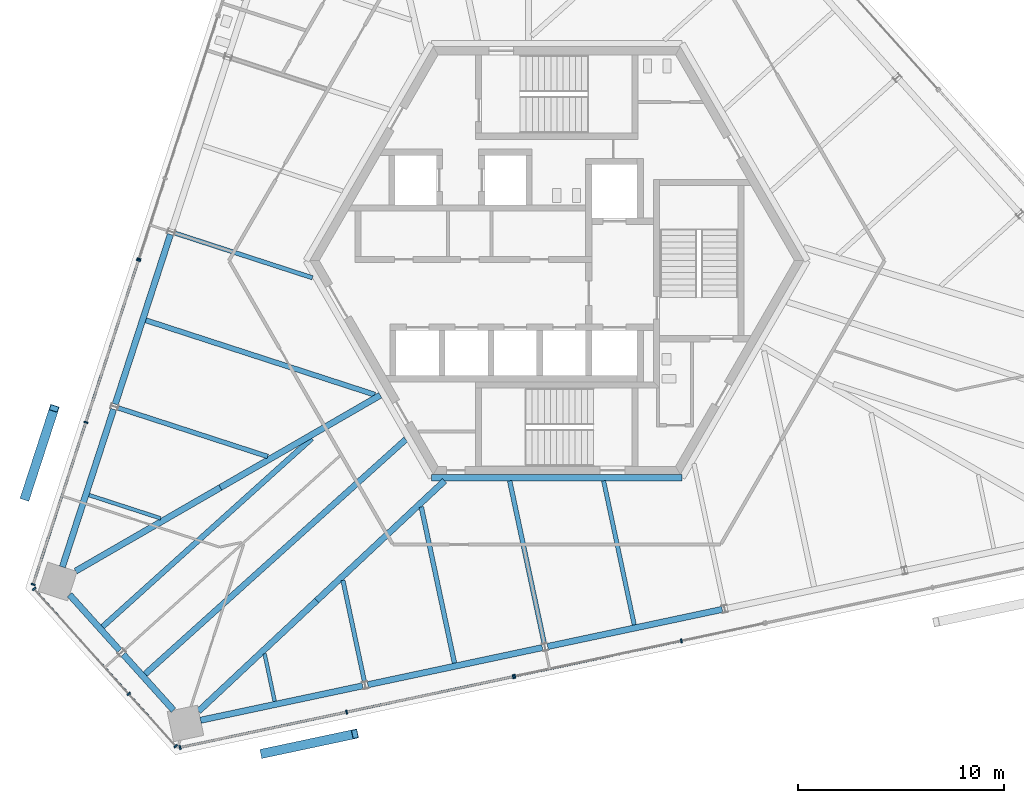
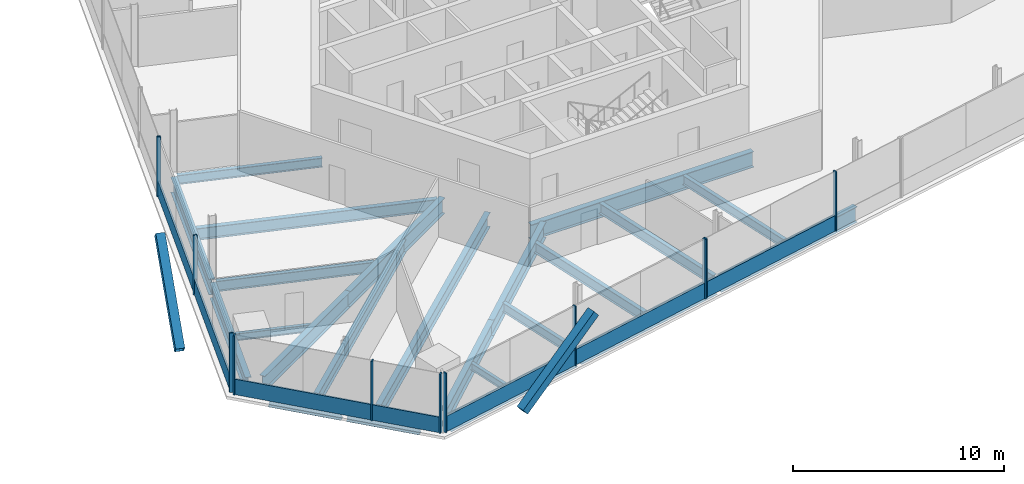
# One storey, part 4 of 14: 23 beams, 21 members, 5 elements without a shape of their own.
"""IFC4 building model written with IfcOpenShell, lengths in metres."""

from ifc_helpers import new_model, si_unit, direction, frame, origin, origin_2d, place, context, subcontext, project, spatial, rectangle, hollow_rectangle, i_section, extrude, source, transform, mapped, material, material_profile, profile_set, type_object, element, aggregate, save


model = new_model("IFC4")

# Units and contexts
model_context = context("Model", 3, precision=1e-05, world=origin(), true_north=direction((0.0, 1.0)))
body_context = subcontext(model_context, "Body", "Model", "MODEL_VIEW")
ifc_project = project(units=[si_unit("LENGTHUNIT", "METRE"), si_unit("AREAUNIT", "SQUARE_METRE"), si_unit("VOLUMEUNIT", "CUBIC_METRE"), si_unit("PLANEANGLEUNIT", "RADIAN"), si_unit("MASSUNIT", "GRAM", prefix="KILO")], contexts=[model_context])

# Site, building, storey
site_placement = place(None, origin())
site = spatial("IfcSite", under=ifc_project, at=site_placement, CompositionType="ELEMENT")
building_placement = place(site_placement, origin())
building = spatial("IfcBuilding", under=site, at=building_placement, Name="Triune Harvest Tower", CompositionType="ELEMENT")
storey_placement = place(building_placement, frame((0.0, 0.0, 263.10009765625)))
storey = spatial("IfcBuildingStorey", under=building, at=storey_placement, Name="L69", CompositionType="ELEMENT", Elevation=263.10009765625)

# Beams
ifc_material_1 = material(Name="Steel ASTM A992 Gr 50", Category="steel")
ifc_material_profile_1 = material_profile(ifc_material_1, i_section(OverallWidth=0.3046875, OverallDepth=0.914306640625, WebThickness=0.0166015625, FlangeThickness=0.02587890625, at=origin_2d()), Name="W36x160")
ifc_profile_set_1 = profile_set([ifc_material_profile_1], Name="Steel ASTM A992 Gr 50")
beam_type_1 = type_object("IfcBeamType", Name="CG-1 Core ring girder W36x160", PredefinedType="BEAM", material=ifc_profile_set_1)
shared_shape_1 = source(origin(), body_context, "Body", "SweptSolid", [
    extrude(i_section(OverallWidth=0.3046875, OverallDepth=0.914306640625, WebThickness=0.0166015625, FlangeThickness=0.02587890625, at=origin_2d()), origin(), (0.0, 0.0, 1.0), 12.17578125),
])
beam_1_placement = place(storey_placement, frame((-6.087890625, -10.544677734375, -0.6171875), z_axis=(1.0, 0.0, 0.0), x_axis=(0.0, 1.0, 0.0)))
element("IfcBeam", 1, at=beam_1_placement, inside=storey, type_object=beam_type_1, Name="beam/L69/CG5", PredefinedType="BEAM", context=body_context, shape_type="MappedRepresentation", body=[
    mapped(shared_shape_1, transform((0.0, 0.0, 0.0), scale=1.0)),
])
ifc_material_2 = material(Name="Steel ASTM A992 Gr 50", Category="steel")
ifc_material_profile_2 = material_profile(ifc_material_2, i_section(OverallWidth=0.3046875, OverallDepth=0.914306640625, WebThickness=0.0166015625, FlangeThickness=0.02587890625, at=origin_2d()), Name="W36x160")
ifc_profile_set_2 = profile_set([ifc_material_profile_2], Name="Steel ASTM A992 Gr 50")
beam_type_2 = type_object("IfcBeamType", Name="HG-3 Hip girder W36x160", PredefinedType="BEAM", material=ifc_profile_set_2)
shared_shape_2 = source(origin(), body_context, "Body", "SweptSolid", [
    extrude(i_section(OverallWidth=0.3046875, OverallDepth=0.914306640625, WebThickness=0.0166015625, FlangeThickness=0.02587890625, at=origin_2d()), origin(), (0.0, 0.0, 1.0), 8.97265625),
])
beam_2_placement = place(storey_placement, frame((-16.34619140625, -11.02734375, -0.6171875), z_axis=(0.866024277037, 0.500001951578, 0.0), x_axis=(-0.500001951578, 0.866024277037, 0.0)))
element("IfcBeam", 2, at=beam_2_placement, inside=storey, type_object=beam_type_2, Name="beam/L69/HG5", PredefinedType="BEAM", context=body_context, shape_type="MappedRepresentation", body=[
    mapped(shared_shape_2, transform((0.0, 0.0, 0.0), scale=1.0)),
])
ifc_material_3 = material(Name="Steel ASTM A992 Gr 50", Category="steel")
ifc_material_profile_3 = material_profile(ifc_material_3, i_section(OverallWidth=0.3046875, OverallDepth=0.914306640625, WebThickness=0.0166015625, FlangeThickness=0.02587890625, at=origin_2d()), Name="W36x160")
ifc_profile_set_3 = profile_set([ifc_material_profile_3], Name="Steel ASTM A992 Gr 50")
beam_type_3 = type_object("IfcBeamType", Name="SB-1 Spandrel beam W36x160", PredefinedType="SPANDREL", material=ifc_profile_set_3)
shared_shape_3 = source(origin(), body_context, "Body", "SweptSolid", [
    extrude(i_section(OverallWidth=0.3046875, OverallDepth=0.914306640625, WebThickness=0.0166015625, FlangeThickness=0.02587890625, at=origin_2d()), origin(), (0.0, 0.0, 1.0), 8.0498046875),
])
beam_3_placement = place(storey_placement, frame((-21.529296875, -7.220703125, -0.6171875), z_axis=(-0.30902160762, -0.951055017348, 0.0), x_axis=(0.951055017348, -0.30902160762, 0.0)))
element("IfcBeam", 3, at=beam_3_placement, inside=storey, type_object=beam_type_3, Name="beam/L69/SB12", PredefinedType="SPANDREL", context=body_context, shape_type="MappedRepresentation", body=[
    mapped(shared_shape_3, transform((0.0, 0.0, 0.0), scale=1.0)),
])
shared_shape_4 = source(origin(), body_context, "Body", "SweptSolid", [
    extrude(i_section(OverallWidth=0.3046875, OverallDepth=0.914306640625, WebThickness=0.0166015625, FlangeThickness=0.02587890625, at=origin_2d()), origin(), (0.0, 0.0, 1.0), 8.67138671875),
])
for number, where, z_axis, x_axis, name in (
    (4, (-18.7705078125, 1.270263671875, -0.6171875), (-0.309022409974, -0.951054756643, 0.0), (0.951054756643, -0.309022409974, 0.0), "beam/L69/SB11"),
    (5, (-9.1806640625, -20.603271484375, -0.6171875), (0.978145539793, 0.207921386546, 0.0), (-0.207921386546, 0.978145539793, 0.0), "beam/L69/SB16"),
    (6, (-0.44775390625, -18.7470703125, -0.6171875), (0.978145539793, 0.207921386546, 0.0), (-0.207921386546, 0.978145539793, 0.0), "beam/L69/SB17"),
):
    element("IfcBeam", number, at=place(storey_placement, frame(where, z_axis=z_axis, x_axis=x_axis)), inside=storey, type_object=beam_type_3, Name=name, PredefinedType="SPANDREL", context=body_context, shape_type="MappedRepresentation", body=[
        mapped(shared_shape_4, transform((0.0, 0.0, 0.0), scale=1.0)),
    ])
shared_shape_5 = source(origin(), body_context, "Body", "SweptSolid", [
    extrude(i_section(OverallWidth=0.3046875, OverallDepth=0.914306640625, WebThickness=0.0166015625, FlangeThickness=0.02587890625, at=origin_2d()), origin(), (0.0, 0.0, 1.0), 3.645751953125),
])
for number, where, z_axis, x_axis, name in (
    (7, (-23.669189453125, -16.2333984375, -0.6171875), (0.669138606654, -0.743137621901, 0.0), (0.743137621901, 0.669138606654, 0.0), "beam/L69/SB13"),
    (8, (-21.05810546875, -19.13330078125, -0.6171875), (0.669138606654, -0.743137621901, 0.0), (0.743137621901, 0.669138606654, 0.0), "beam/L69/SB14"),
):
    element("IfcBeam", number, at=place(storey_placement, frame(where, z_axis=z_axis, x_axis=x_axis)), inside=storey, type_object=beam_type_3, Name=name, PredefinedType="SPANDREL", context=body_context, shape_type="MappedRepresentation", body=[
        mapped(shared_shape_5, transform((0.0, 0.0, 0.0), scale=1.0)),
    ])
shared_shape_6 = source(origin(), body_context, "Body", "SweptSolid", [
    extrude(i_section(OverallWidth=0.3046875, OverallDepth=0.914306640625, WebThickness=0.0166015625, FlangeThickness=0.02587890625, at=origin_2d()), origin(), (0.0, 0.0, 1.0), 8.049560546875),
])
beam_4_placement = place(storey_placement, frame((-17.305419921875, -22.330322265625, -0.6171875), z_axis=(0.978148597907, 0.207906999431, 0.0), x_axis=(-0.207906999431, 0.978148597907, 0.0)))
element("IfcBeam", 9, at=beam_4_placement, inside=storey, type_object=beam_type_3, Name="beam/L69/SB15", PredefinedType="SPANDREL", context=body_context, shape_type="MappedRepresentation", body=[
    mapped(shared_shape_6, transform((0.0, 0.0, 0.0), scale=1.0)),
])
shared_shape_7 = source(origin(), body_context, "Body", "SweptSolid", [
    extrude(i_section(OverallWidth=0.3046875, OverallDepth=0.914306640625, WebThickness=0.0166015625, FlangeThickness=0.02587890625, at=origin_2d()), origin(), (0.0, 0.0, 1.0), 8.11572265625),
])
beam_5_placement = place(storey_placement, frame((-23.37451171875, -15.085205078125, -0.6171875), z_axis=(0.866022271607, 0.500005425051, 0.0), x_axis=(-0.500005425051, 0.866022271607, 0.0)))
element("IfcBeam", 10, at=beam_5_placement, inside=storey, type_object=beam_type_2, Name="beam/L69/HG4", PredefinedType="BEAM", context=body_context, shape_type="MappedRepresentation", body=[
    mapped(shared_shape_7, transform((0.0, 0.0, 0.0), scale=1.0)),
])
shared_shape_8 = source(origin(), body_context, "Body", "SweptSolid", [
    extrude(i_section(OverallWidth=0.3046875, OverallDepth=0.914306640625, WebThickness=0.0166015625, FlangeThickness=0.02587890625, at=origin_2d()), origin(), (0.0, 0.0, 1.0), 7.858642578125),
])
beam_6_placement = place(storey_placement, frame((-17.399658203125, -21.88720703125, -0.6171875), z_axis=(0.729902338859, 0.683551443367, 0.0), x_axis=(-0.683551443367, 0.729902338859, 0.0)))
element("IfcBeam", 11, at=beam_6_placement, inside=storey, type_object=beam_type_2, Name="beam/L69/HG6", PredefinedType="BEAM", context=body_context, shape_type="MappedRepresentation", body=[
    mapped(shared_shape_8, transform((0.0, 0.0, 0.0), scale=1.0)),
])
shared_shape_9 = source(origin(), body_context, "Body", "SweptSolid", [
    extrude(i_section(OverallWidth=0.3046875, OverallDepth=0.914306640625, WebThickness=0.0166015625, FlangeThickness=0.02587890625, at=origin_2d()), origin(), (0.0, 0.0, 1.0), 8.511962890625),
])
beam_7_placement = place(storey_placement, frame((-11.66357421875, -16.515380859375, -0.6171875), z_axis=(0.729902036757, 0.683551765954, 0.0), x_axis=(-0.683551765954, 0.729902036757, 0.0)))
element("IfcBeam", 12, at=beam_7_placement, inside=storey, type_object=beam_type_2, Name="beam/L69/HG7", PredefinedType="BEAM", context=body_context, shape_type="MappedRepresentation", body=[
    mapped(shared_shape_9, transform((0.0, 0.0, 0.0), scale=1.0)),
])
ifc_material_4 = material(Name="Steel ASTM A992 Gr 50", Category="steel")
ifc_material_profile_4 = material_profile(ifc_material_4, i_section(OverallWidth=0.180908203125, OverallDepth=0.41650390625, WebThickness=0.010986328125, FlangeThickness=0.01806640625, at=origin_2d()), Name="W16x57")
ifc_profile_set_4 = profile_set([ifc_material_profile_4], Name="Steel ASTM A992 Gr 50")
beam_type_4 = type_object("IfcBeamType", Name="JT-1 Floor joist W16x57", PredefinedType="JOIST", material=ifc_profile_set_4)
shared_shape_10 = source(origin(), body_context, "Body", "SweptSolid", [
    extrude(i_section(OverallWidth=0.180908203125, OverallDepth=0.41650390625, WebThickness=0.010986328125, FlangeThickness=0.01806640625, at=origin_2d()), origin(), (0.0, 0.0, 1.0), 2.364990234375),
])
beam_8_placement = place(storey_placement, frame((-13.704345703125, -21.4091796875, -0.368408203125), z_axis=(-0.207914315996, 0.978147042731, 0.0), x_axis=(-0.978147042731, -0.207914315996, 0.0)))
element("IfcBeam", 13, at=beam_8_placement, inside=storey, type_object=beam_type_4, Name="beam/L69/JT23", PredefinedType="JOIST", context=body_context, shape_type="MappedRepresentation", body=[
    mapped(shared_shape_10, transform((0.0, 0.0, 0.0), scale=1.0)),
])
ifc_material_5 = material(Name="Steel ASTM A992 Gr 50", Category="steel")
ifc_material_profile_5 = material_profile(ifc_material_5, i_section(OverallWidth=0.2099609375, OverallDepth=0.535888671875, WebThickness=0.010986328125, FlangeThickness=0.017333984375, at=origin_2d()), Name="W21x68")
ifc_profile_set_5 = profile_set([ifc_material_profile_5], Name="Steel ASTM A992 Gr 50")
beam_type_5 = type_object("IfcBeamType", Name="JT-2 Floor joist W21x68", PredefinedType="JOIST", material=ifc_profile_set_5)
shared_shape_11 = source(origin(), body_context, "Body", "SweptSolid", [
    extrude(i_section(OverallWidth=0.2099609375, OverallDepth=0.535888671875, WebThickness=0.010986328125, FlangeThickness=0.017333984375, at=origin_2d()), origin(), (0.0, 0.0, 1.0), 5.031982421875),
])
beam_9_placement = place(storey_placement, frame((-9.34375, -20.45361328125, -0.427978515625), z_axis=(-0.207895312057, 0.978151082004, 0.0), x_axis=(-0.978151082004, -0.207895312057, 0.0)))
element("IfcBeam", 14, at=beam_9_placement, inside=storey, type_object=beam_type_5, Name="beam/L69/JT24", PredefinedType="JOIST", context=body_context, shape_type="MappedRepresentation", body=[
    mapped(shared_shape_11, transform((0.0, 0.0, 0.0), scale=1.0)),
])
ifc_material_6 = material(Name="Steel ASTM A992 Gr 50", Category="steel")
ifc_material_profile_6 = material_profile(ifc_material_6, i_section(OverallWidth=0.22900390625, OverallDepth=0.612060546875, WebThickness=0.011962890625, FlangeThickness=0.01953125, at=origin_2d()), Name="W24x84")
ifc_profile_set_6 = profile_set([ifc_material_profile_6], Name="Steel ASTM A992 Gr 50")
beam_type_6 = type_object("IfcBeamType", Name="JT-3 Floor joist W24x84", PredefinedType="JOIST", material=ifc_profile_set_6)
shared_shape_12 = source(origin(), body_context, "Body", "SweptSolid", [
    extrude(i_section(OverallWidth=0.22900390625, OverallDepth=0.612060546875, WebThickness=0.011962890625, FlangeThickness=0.01953125, at=origin_2d()), origin(), (0.0, 0.0, 1.0), 7.755126953125),
])
beam_10_placement = place(storey_placement, frame((-4.971435546875, -19.552734375, -0.46630859375), z_axis=(-0.20790130149, 0.978149808996, 0.0), x_axis=(-0.978149808996, -0.20790130149, 0.0)))
element("IfcBeam", 15, at=beam_10_placement, inside=storey, type_object=beam_type_6, Name="beam/L69/JT25", PredefinedType="JOIST", context=body_context, shape_type="MappedRepresentation", body=[
    mapped(shared_shape_12, transform((0.0, 0.0, 0.0), scale=1.0)),
])
shared_shape_13 = source(origin(), body_context, "Body", "SweptSolid", [
    extrude(i_section(OverallWidth=0.22900390625, OverallDepth=0.612060546875, WebThickness=0.011962890625, FlangeThickness=0.01953125, at=origin_2d()), origin(), (0.0, 0.0, 1.0), 8.076904296875),
])
beam_11_placement = place(storey_placement, frame((-0.61083984375, -18.597412109375, -0.46630859375), z_axis=(-0.207902137341, 0.978149631339, 0.0), x_axis=(-0.978149631339, -0.207902137341, 0.0)))
element("IfcBeam", 16, at=beam_11_placement, inside=storey, type_object=beam_type_6, Name="beam/L69/JT26", PredefinedType="JOIST", context=body_context, shape_type="MappedRepresentation", body=[
    mapped(shared_shape_13, transform((0.0, 0.0, 0.0), scale=1.0)),
])
ifc_material_7 = material(Name="Steel ASTM A992 Gr 50", Category="steel")
ifc_material_profile_7 = material_profile(ifc_material_7, i_section(OverallWidth=0.253662109375, OverallDepth=0.683349609375, WebThickness=0.012451171875, FlangeThickness=0.01904296875, at=origin_2d()), Name="W27x94")
ifc_profile_set_7 = profile_set([ifc_material_profile_7], Name="Steel ASTM A992 Gr 50")
beam_type_7 = type_object("IfcBeamType", Name="JT-4 Floor joist W27x94", PredefinedType="JOIST", material=ifc_profile_set_7)
shared_shape_14 = source(origin(), body_context, "Body", "SweptSolid", [
    extrude(i_section(OverallWidth=0.253662109375, OverallDepth=0.683349609375, WebThickness=0.012451171875, FlangeThickness=0.01904296875, at=origin_2d()), origin(), (0.0, 0.0, 1.0), 11.70068359375),
])
beam_12_placement = place(storey_placement, frame((-19.96533203125, -2.900390625, -0.501708984375), z_axis=(0.951055533623, -0.309020018713, 0.0), x_axis=(0.309020018713, 0.951055533623, 0.0)))
element("IfcBeam", 17, at=beam_12_placement, inside=storey, type_object=beam_type_7, Name="beam/L69/JT18", PredefinedType="JOIST", context=body_context, shape_type="MappedRepresentation", body=[
    mapped(shared_shape_14, transform((0.0, 0.0, 0.0), scale=1.0)),
])
shared_shape_15 = source(origin(), body_context, "Body", "SweptSolid", [
    extrude(i_section(OverallWidth=0.22900390625, OverallDepth=0.612060546875, WebThickness=0.011962890625, FlangeThickness=0.01953125, at=origin_2d()), origin(), (0.0, 0.0, 1.0), 7.6533203125),
])
beam_13_placement = place(storey_placement, frame((-21.318115234375, -7.154541015625, -0.46630859375), z_axis=(0.951057977144, -0.309012498309, 0.0), x_axis=(0.309012498309, 0.951057977144, 0.0)))
element("IfcBeam", 18, at=beam_13_placement, inside=storey, type_object=beam_type_6, Name="beam/L69/JT19", PredefinedType="JOIST", context=body_context, shape_type="MappedRepresentation", body=[
    mapped(shared_shape_15, transform((0.0, 0.0, 0.0), scale=1.0)),
])
shared_shape_16 = source(origin(), body_context, "Body", "SweptSolid", [
    extrude(i_section(OverallWidth=0.180908203125, OverallDepth=0.41650390625, WebThickness=0.010986328125, FlangeThickness=0.01806640625, at=origin_2d()), origin(), (0.0, 0.0, 1.0), 3.661865234375),
])
beam_14_placement = place(storey_placement, frame((-22.72412109375, -11.391357421875, -0.368408203125), z_axis=(0.951056113966, -0.309018232614, 0.0), x_axis=(0.309018232614, 0.951056113966, 0.0)))
element("IfcBeam", 19, at=beam_14_placement, inside=storey, type_object=beam_type_4, Name="beam/L69/JT20", PredefinedType="JOIST", context=body_context, shape_type="MappedRepresentation", body=[
    mapped(shared_shape_16, transform((0.0, 0.0, 0.0), scale=1.0)),
])
shared_shape_17 = source(origin(), body_context, "Body", "SweptSolid", [
    extrude(i_section(OverallWidth=0.2099609375, OverallDepth=0.535888671875, WebThickness=0.010986328125, FlangeThickness=0.017333984375, at=origin_2d()), origin(), (0.0, 0.0, 1.0), 7.03515625),
])
beam_15_placement = place(storey_placement, frame((-18.559326171875, 1.336669921875, -0.427978515625), z_axis=(0.951053958357, -0.309024866787, 0.0), x_axis=(0.309024866787, 0.951053958357, 0.0)))
element("IfcBeam", 20, at=beam_15_placement, inside=storey, type_object=beam_type_5, Name="beam/L69/JT17", PredefinedType="JOIST", context=body_context, shape_type="MappedRepresentation", body=[
    mapped(shared_shape_17, transform((0.0, 0.0, 0.0), scale=1.0)),
])
ifc_material_8 = material(Name="Steel ASTM A992 Gr 50", Category="steel")
ifc_material_profile_8 = material_profile(ifc_material_8, i_section(OverallWidth=0.2666015625, OverallDepth=0.7568359375, WebThickness=0.013916015625, FlangeThickness=0.019287109375, at=origin_2d()), Name="W30x108")
ifc_profile_set_8 = profile_set([ifc_material_profile_8], Name="Steel ASTM A992 Gr 50")
beam_type_8 = type_object("IfcBeamType", Name="JT-5 Floor joist W30x108", PredefinedType="JOIST", material=ifc_profile_set_8)
shared_shape_18 = source(origin(), body_context, "Body", "SweptSolid", [
    extrude(i_section(OverallWidth=0.2666015625, OverallDepth=0.7568359375, WebThickness=0.013916015625, FlangeThickness=0.019287109375, at=origin_2d()), origin(), (0.0, 0.0, 1.0), 13.667724609375),
])
beam_16_placement = place(storey_placement, frame((-22.0654296875, -17.78662109375, -0.53857421875), z_axis=(0.743148465952, 0.66912656318, 0.0), x_axis=(-0.66912656318, 0.743148465952, 0.0)))
element("IfcBeam", 21, at=beam_16_placement, inside=storey, type_object=beam_type_8, Name="beam/L69/JT21", PredefinedType="JOIST", context=body_context, shape_type="MappedRepresentation", body=[
    mapped(shared_shape_18, transform((0.0, 0.0, 0.0), scale=1.0)),
])
ifc_material_9 = material(Name="Steel ASTM A992 Gr 50", Category="steel")
ifc_material_profile_9 = material_profile(ifc_material_9, i_section(OverallWidth=0.2919921875, OverallDepth=0.8408203125, WebThickness=0.0146484375, FlangeThickness=0.021728515625, at=origin_2d()), Name="W33x130")
ifc_profile_set_9 = profile_set([ifc_material_profile_9], Name="Steel ASTM A992 Gr 50")
beam_type_9 = type_object("IfcBeamType", Name="JT-6 Floor joist W33x130", PredefinedType="JOIST", material=ifc_profile_set_9)
shared_shape_19 = source(origin(), body_context, "Body", "SweptSolid", [
    extrude(i_section(OverallWidth=0.2919921875, OverallDepth=0.8408203125, WebThickness=0.0146484375, FlangeThickness=0.021728515625, at=origin_2d()), origin(), (0.0, 0.0, 1.0), 17.03466796875),
])
beam_17_placement = place(storey_placement, frame((-19.99560546875, -20.08544921875, -0.58056640625), z_axis=(0.743143047387, 0.669132581123, 0.0), x_axis=(-0.669132581123, 0.743143047387, 0.0)))
element("IfcBeam", 22, at=beam_17_placement, inside=storey, type_object=beam_type_9, Name="beam/L69/JT22", PredefinedType="JOIST", context=body_context, shape_type="MappedRepresentation", body=[
    mapped(shared_shape_19, transform((0.0, 0.0, 0.0), scale=1.0)),
])
shared_shape_20 = source(origin(), body_context, "Body", "SweptSolid", [
    extrude(i_section(OverallWidth=0.2099609375, OverallDepth=0.535888671875, WebThickness=0.010986328125, FlangeThickness=0.017333984375, at=origin_2d()), origin(), (0.0, 0.0, 1.0), 7.156005859375),
])
beam_18_placement = place(storey_placement, frame((3.761474609375, -17.696533203125, -0.427978515625), z_axis=(-0.207911801049, 0.978147577303, 0.0), x_axis=(-0.978147577303, -0.207911801049, 0.0)))
element("IfcBeam", 23, at=beam_18_placement, inside=storey, type_object=beam_type_5, Name="beam/L69/JT27", PredefinedType="JOIST", context=body_context, shape_type="MappedRepresentation", body=[
    mapped(shared_shape_20, transform((0.0, 0.0, 0.0), scale=1.0)),
])

# Members
ifc_material_10 = material(Name="Steel ASTM A572 Gr 50", Category="steel")
ifc_material_profile_10 = material_profile(ifc_material_10, hollow_rectangle(XDim=0.449951171875, YDim=0.449951171875, WallThickness=0.02490234375, at=origin_2d()), Name="Box 450x450x25")
ifc_profile_set_10 = profile_set([ifc_material_profile_10], Name="Steel ASTM A572 Gr 50")
member_type_1 = type_object("IfcMemberType", Name="BR-4 Brace Box 450x450x25", PredefinedType="BRACE", material=ifc_profile_set_10)
shared_shape_21 = source(origin(), body_context, "Body", "SweptSolid", [
    extrude(hollow_rectangle(XDim=0.449951171875, YDim=0.449951171875, WallThickness=0.02490234375, at=origin_2d()), origin(), (0.0, 0.0, 1.0), 5.789306640625),
])
for number, where, z_axis, x_axis, name in (
    (24, (-25.8193359375, -11.490966796875, 0.0), (0.241981376185, 0.74483706277, 0.621822131726), (-0.951068094828, 0.308981357045, 0.0), "brace/B7-F3/d2/2"),
    (25, (-14.2412109375, -23.93896484375, 0.0), (0.766046950246, 0.162824512794, 0.621820109077), (-0.20790705694, 0.978148585683, 0.0), "brace/B7-F5/d1/2"),
):
    element("IfcMember", number, at=place(storey_placement, frame(where, z_axis=z_axis, x_axis=x_axis)), inside=storey, type_object=member_type_1, Name=name, PredefinedType="BRACE", context=body_context, shape_type="MappedRepresentation", body=[
        mapped(shared_shape_21, transform((0.0, 0.0, 0.0), scale=1.0)),
    ])

# Curtain wall, member
ifc_material_11 = material(Name="Aluminium bronze anodised", Category="aluminium")
curtain_wall_type_1 = type_object("IfcCurtainWallType", Name="CW-1 Tower stick curtain wall", PredefinedType="NOTDEFINED", material=ifc_material_11)
curtain_wall_1_placement = place(storey_placement, origin())
curtain_wall_1 = element("IfcCurtainWall", 26, at=curtain_wall_1_placement, inside=storey, type_object=curtain_wall_type_1, Name="CW-1 B7-F3 L69 run 1001")
ifc_material_12 = material(Name="Aluminium bronze anodised", Category="aluminium")
ifc_material_profile_11 = material_profile(ifc_material_12, rectangle(XDim=0.199951171875, YDim=0.074951171875, at=origin_2d()), Name="MU-1 mullion 75 x 200")
ifc_profile_set_11 = profile_set([ifc_material_profile_11], Name="Aluminium bronze anodised")
member_type_2 = type_object("IfcMemberType", Name="MU-1 mullion 75 x 200", PredefinedType="MULLION", material=ifc_profile_set_11)
shared_shape_22 = source(origin(), body_context, "Body", "SweptSolid", [
    extrude(rectangle(XDim=0.199951171875, YDim=0.074951171875, at=origin_2d()), origin(), (0.0, 0.0, 1.0), 3.43994140625),
])
member_1_placement = place(storey_placement, frame((-20.298583984375, 0.080322265625, 0.0), z_axis=(0.0, 0.0, 1.0), x_axis=(0.951054284615, -0.309023862696, 0.0)))
member_1 = element("IfcMember", 27, at=member_1_placement, type_object=member_type_2, Name="CW-1 mullion B7-F3 1001.4", PredefinedType="MULLION", context=body_context, shape_type="MappedRepresentation", body=[
    mapped(shared_shape_22, transform((0.0, 0.0, 0.0), scale=1.0)),
])
aggregate(curtain_wall_1, [member_1])

# Curtain wall, members
ifc_material_13 = material(Name="Aluminium bronze anodised", Category="aluminium")
curtain_wall_type_2 = type_object("IfcCurtainWallType", Name="CW-7 Tower stick curtain wall with insulated spandrel infill", PredefinedType="NOTDEFINED", material=ifc_material_13)
curtain_wall_2_placement = place(storey_placement, origin())
curtain_wall_2 = element("IfcCurtainWall", 28, at=curtain_wall_2_placement, inside=storey, type_object=curtain_wall_type_2, Name="CW-7 B7-F3 L69 run 2001")
member_2_placement = place(storey_placement, frame((-20.32177734375, 0.009033203125, 0.0), z_axis=(0.0, 0.0, 1.0), x_axis=(0.951057638804, -0.309013539626, 0.0)))
member_2 = element("IfcMember", 29, at=member_2_placement, type_object=member_type_2, Name="CW-7 mullion B7-F3 2001.1", PredefinedType="MULLION", context=body_context, shape_type="MappedRepresentation", body=[
    mapped(shared_shape_22, transform((0.0, 0.0, 0.0), scale=1.0)),
])
member_3_placement = place(storey_placement, frame((-22.878662109375, -7.860107421875, 0.0), z_axis=(0.0, 0.0, 1.0), x_axis=(0.951057638804, -0.309013539626, 0.0)))
member_3 = element("IfcMember", 30, at=member_3_placement, type_object=member_type_2, Name="CW-7 mullion B7-F3 2001.3", PredefinedType="MULLION", context=body_context, shape_type="MappedRepresentation", body=[
    mapped(shared_shape_22, transform((0.0, 0.0, 0.0), scale=1.0)),
])
member_4_placement = place(storey_placement, frame((-25.435302734375, -15.729248046875, 0.0), z_axis=(0.0, 0.0, 1.0), x_axis=(0.951057638804, -0.309013539626, 0.0)))
member_4 = element("IfcMember", 31, at=member_4_placement, type_object=member_type_2, Name="CW-7 mullion B7-F3 2001.5", PredefinedType="MULLION", context=body_context, shape_type="MappedRepresentation", body=[
    mapped(shared_shape_22, transform((0.0, 0.0, 0.0), scale=1.0)),
])

curtain_wall_3_placement = place(storey_placement, origin())
curtain_wall_3 = element("IfcCurtainWall", 32, at=curtain_wall_3_placement, inside=storey, type_object=curtain_wall_type_1, Name="CW-1 B7-F4 L69 run 1")
member_5_placement = place(storey_placement, frame((-25.389404296875, -15.9453125, 0.0), z_axis=(0.0, 0.0, 1.0), x_axis=(0.743143542297, 0.669132031472, 0.0)))
member_5 = element("IfcMember", 33, at=member_5_placement, type_object=member_type_2, Name="CW-1 mullion B7-F4 1.1", PredefinedType="MULLION", context=body_context, shape_type="MappedRepresentation", body=[
    mapped(shared_shape_22, transform((0.0, 0.0, 0.0), scale=1.0)),
])
member_6_placement = place(storey_placement, frame((-20.7958984375, -21.046875, 0.0), z_axis=(0.0, 0.0, 1.0), x_axis=(0.743143542297, 0.669132031472, 0.0)))
member_6 = element("IfcMember", 34, at=member_6_placement, type_object=member_type_2, Name="CW-1 mullion B7-F4 1.3", PredefinedType="MULLION", context=body_context, shape_type="MappedRepresentation", body=[
    mapped(shared_shape_22, transform((0.0, 0.0, 0.0), scale=1.0)),
])
member_7_placement = place(storey_placement, frame((-18.51171875, -23.583740234375, 0.0), z_axis=(0.0, 0.0, 1.0), x_axis=(0.743143542297, 0.669132031472, 0.0)))
member_7 = element("IfcMember", 35, at=member_7_placement, type_object=member_type_2, Name="CW-1 mullion B7-F4 1.4", PredefinedType="MULLION", context=body_context, shape_type="MappedRepresentation", body=[
    mapped(shared_shape_22, transform((0.0, 0.0, 0.0), scale=1.0)),
])

curtain_wall_4_placement = place(storey_placement, origin())
curtain_wall_4 = element("IfcCurtainWall", 36, at=curtain_wall_4_placement, inside=storey, type_object=curtain_wall_type_2, Name="CW-7 B7-F5 L69 run 1")
member_8_placement = place(storey_placement, frame((-18.3017578125, -23.65185546875, 0.0), z_axis=(0.0, 0.0, 1.0), x_axis=(-0.2079086203, 0.978148253388, 0.0)))
member_8 = element("IfcMember", 37, at=member_8_placement, type_object=member_type_2, Name="CW-7 mullion B7-F5 1.1", PredefinedType="MULLION", context=body_context, shape_type="MappedRepresentation", body=[
    mapped(shared_shape_22, transform((0.0, 0.0, 0.0), scale=1.0)),
])
member_9_placement = place(storey_placement, frame((-10.20849609375, -21.931640625, 0.0), z_axis=(0.0, 0.0, 1.0), x_axis=(-0.2079086203, 0.978148253388, 0.0)))
member_9 = element("IfcMember", 38, at=member_9_placement, type_object=member_type_2, Name="CW-7 mullion B7-F5 1.3", PredefinedType="MULLION", context=body_context, shape_type="MappedRepresentation", body=[
    mapped(shared_shape_22, transform((0.0, 0.0, 0.0), scale=1.0)),
])
member_10_placement = place(storey_placement, frame((-2.115234375, -20.21142578125, 0.0), z_axis=(0.0, 0.0, 1.0), x_axis=(-0.2079086203, 0.978148253388, 0.0)))
member_10 = element("IfcMember", 39, at=member_10_placement, type_object=member_type_2, Name="CW-7 mullion B7-F5 1.5", PredefinedType="MULLION", context=body_context, shape_type="MappedRepresentation", body=[
    mapped(shared_shape_22, transform((0.0, 0.0, 0.0), scale=1.0)),
])

curtain_wall_5_placement = place(storey_placement, origin())
curtain_wall_5 = element("IfcCurtainWall", 40, at=curtain_wall_5_placement, inside=storey, type_object=curtain_wall_type_1, Name="CW-1 B7-F5 L69 run 1001")
member_11_placement = place(storey_placement, frame((-2.0419921875, -20.19580078125, 0.0), z_axis=(0.0, 0.0, 1.0), x_axis=(-0.207917272266, 0.978146414344, 0.0)))
member_11 = element("IfcMember", 41, at=member_11_placement, type_object=member_type_2, Name="CW-1 mullion B7-F5 1001.1", PredefinedType="MULLION", context=body_context, shape_type="MappedRepresentation", body=[
    mapped(shared_shape_22, transform((0.0, 0.0, 0.0), scale=1.0)),
])
member_12_placement = place(storey_placement, frame((6.051513671875, -18.4755859375, 0.0), z_axis=(0.0, 0.0, 1.0), x_axis=(-0.207917272266, 0.978146414344, 0.0)))
member_12 = element("IfcMember", 42, at=member_12_placement, type_object=member_type_2, Name="CW-1 mullion B7-F5 1001.3", PredefinedType="MULLION", context=body_context, shape_type="MappedRepresentation", body=[
    mapped(shared_shape_22, transform((0.0, 0.0, 0.0), scale=1.0)),
])

# Member
ifc_material_14 = material(Name="Aluminium bronze anodised", Category="aluminium")
ifc_material_profile_12 = material_profile(ifc_material_14, rectangle(XDim=0.090087890625, YDim=0.89990234375, at=origin_2d()), Name="TR-1 transom 90 x 900")
ifc_profile_set_12 = profile_set([ifc_material_profile_12], Name="Aluminium bronze anodised")
member_type_3 = type_object("IfcMemberType", Name="TR-1 transom 90 x 900", PredefinedType="USERDEFINED", material=ifc_profile_set_12)
shared_shape_23 = source(origin(), body_context, "Body", "SweptSolid", [
    extrude(rectangle(XDim=0.090087890625, YDim=0.89990234375, at=origin_2d()), origin(), (0.0, 0.0, 1.0), 6.7900390625),
])
member_13_placement = place(storey_placement, frame((-25.364501953125, -15.97314453125, 0.449951171875), z_axis=(0.669139526396, -0.743136793743, 0.0), x_axis=(0.743136793743, 0.669139526396, 0.0)))
member_13 = element("IfcMember", 43, at=member_13_placement, type_object=member_type_3, Name="CW-1 transom B7-F4 1.1", ObjectType="TRANSOM", PredefinedType="USERDEFINED", context=body_context, shape_type="MappedRepresentation", body=[
    mapped(shared_shape_23, transform((0.0, 0.0, 0.0), scale=1.0)),
])

shared_shape_24 = source(origin(), body_context, "Body", "SweptSolid", [
    extrude(rectangle(XDim=0.090087890625, YDim=0.89990234375, at=origin_2d()), origin(), (0.0, 0.0, 1.0), 3.338623046875),
])
member_14_placement = place(storey_placement, frame((-20.77099609375, -21.07470703125, 0.449951171875), z_axis=(0.66917479026, -0.743105039736, 0.0), x_axis=(0.743105039736, 0.66917479026, 0.0)))
member_14 = element("IfcMember", 44, at=member_14_placement, type_object=member_type_3, Name="CW-1 transom B7-F4 1.2", ObjectType="TRANSOM", PredefinedType="USERDEFINED", context=body_context, shape_type="MappedRepresentation", body=[
    mapped(shared_shape_24, transform((0.0, 0.0, 0.0), scale=1.0)),
])

aggregate(curtain_wall_3, [member_5, member_6, member_7, member_13, member_14])

shared_shape_25 = source(origin(), body_context, "Body", "SweptSolid", [
    extrude(rectangle(XDim=0.090087890625, YDim=0.89990234375, at=origin_2d()), origin(), (0.0, 0.0, 1.0), 8.198974609375),
])
member_15_placement = place(storey_placement, frame((-20.33349609375, -0.026611328125, 0.449951171875), z_axis=(-0.308991809103, -0.951064699117, 0.0), x_axis=(0.951064699117, -0.308991809103, 0.0)))
member_15 = element("IfcMember", 45, at=member_15_placement, type_object=member_type_3, Name="CW-7 transom B7-F3 2001.1", ObjectType="TRANSOM", PredefinedType="USERDEFINED", context=body_context, shape_type="MappedRepresentation", body=[
    mapped(shared_shape_25, transform((0.0, 0.0, 0.0), scale=1.0)),
])

member_16_placement = place(storey_placement, frame((-2.005126953125, -20.18798828125, 0.449951171875), z_axis=(0.978143182853, 0.207932474226, 0.0), x_axis=(-0.207932474226, 0.978143182853, 0.0)))
member_16 = element("IfcMember", 46, at=member_16_placement, type_object=member_type_3, Name="CW-1 transom B7-F5 1001.1", ObjectType="TRANSOM", PredefinedType="USERDEFINED", context=body_context, shape_type="MappedRepresentation", body=[
    mapped(shared_shape_25, transform((0.0, 0.0, 0.0), scale=1.0)),
])

aggregate(curtain_wall_5, [member_11, member_12, member_16])

shared_shape_26 = source(origin(), body_context, "Body", "SweptSolid", [
    extrude(rectangle(XDim=0.090087890625, YDim=0.89990234375, at=origin_2d()), origin(), (0.0, 0.0, 1.0), 8.19921875),
])
member_17_placement = place(storey_placement, frame((-22.89013671875, -7.895751953125, 0.449951171875), z_axis=(-0.309018742385, -0.951055948331, 0.0), x_axis=(0.951055948331, -0.309018742385, 0.0)))
member_17 = element("IfcMember", 47, at=member_17_placement, type_object=member_type_3, Name="CW-7 transom B7-F3 2001.2", ObjectType="TRANSOM", PredefinedType="USERDEFINED", context=body_context, shape_type="MappedRepresentation", body=[
    mapped(shared_shape_26, transform((0.0, 0.0, 0.0), scale=1.0)),
])

aggregate(curtain_wall_2, [member_2, member_3, member_4, member_15, member_17])

member_18_placement = place(storey_placement, frame((-18.26513671875, -23.64404296875, 0.449951171875), z_axis=(0.978150525776, 0.207897929101, 0.0), x_axis=(-0.207897929101, 0.978150525776, 0.0)))
member_18 = element("IfcMember", 48, at=member_18_placement, type_object=member_type_3, Name="CW-7 transom B7-F5 1.1", ObjectType="TRANSOM", PredefinedType="USERDEFINED", context=body_context, shape_type="MappedRepresentation", body=[
    mapped(shared_shape_26, transform((0.0, 0.0, 0.0), scale=1.0)),
])

member_19_placement = place(storey_placement, frame((-10.171875, -21.923828125, 0.449951171875), z_axis=(0.978150525776, 0.207897929101, 0.0), x_axis=(-0.207897929101, 0.978150525776, 0.0)))
member_19 = element("IfcMember", 49, at=member_19_placement, type_object=member_type_3, Name="CW-7 transom B7-F5 1.2", ObjectType="TRANSOM", PredefinedType="USERDEFINED", context=body_context, shape_type="MappedRepresentation", body=[
    mapped(shared_shape_26, transform((0.0, 0.0, 0.0), scale=1.0)),
])

aggregate(curtain_wall_4, [member_8, member_9, member_10, member_18, member_19])

save(model, "model.ifc")
